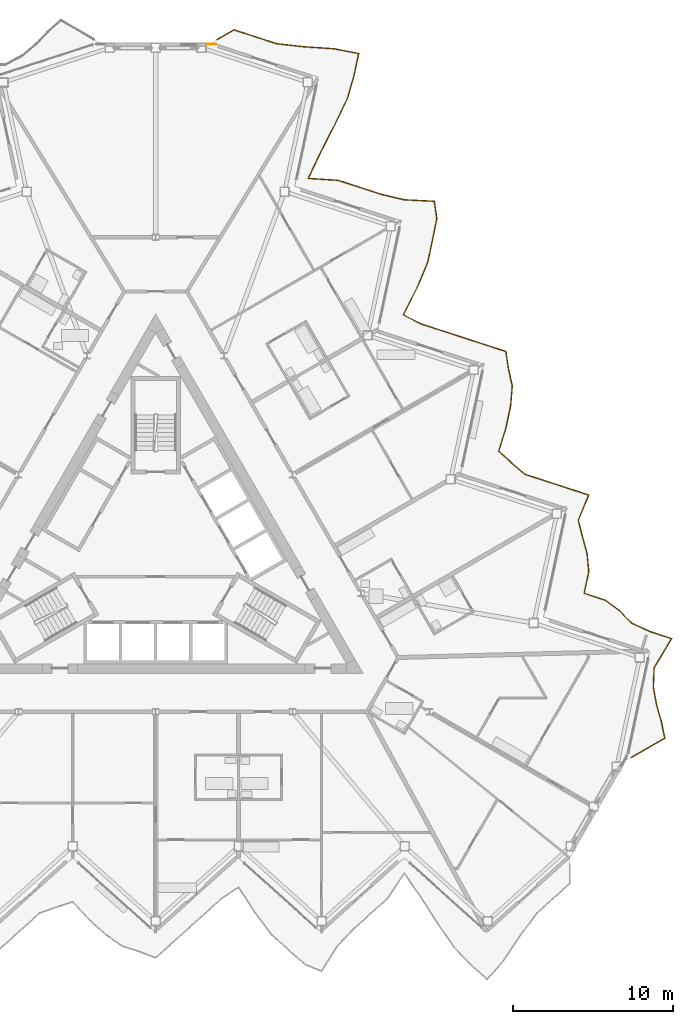
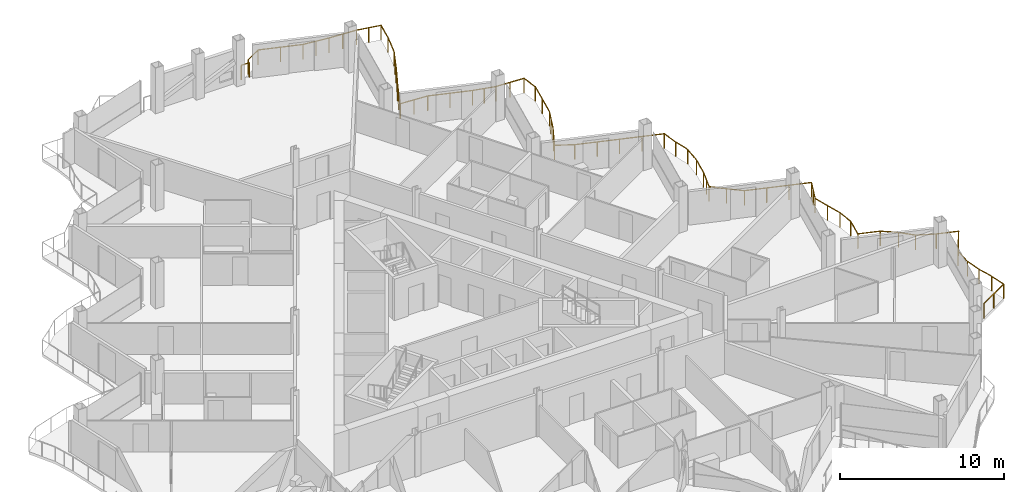
# One storey, part 26 of 28: 2 railings.
"""IFC4 building model written with IfcOpenShell, lengths in metres."""

from ifc_helpers import new_model, si_unit, direction, frame, origin, origin_2d, place, context, subcontext, project, spatial, circle, extrude, material, type_object, element, save


model = new_model("IFC4")

# Units and contexts
model_context = context("Model", 3, precision=1e-05, world=origin(), true_north=direction((0.0, 1.0)))
body_context = subcontext(model_context, "Body", "Model", "MODEL_VIEW")
ifc_project = project(units=[si_unit("LENGTHUNIT", "METRE"), si_unit("AREAUNIT", "SQUARE_METRE"), si_unit("VOLUMEUNIT", "CUBIC_METRE"), si_unit("PLANEANGLEUNIT", "RADIAN"), si_unit("MASSUNIT", "GRAM", prefix="KILO")], contexts=[model_context])

# Site, building, storey
site_placement = place(None, origin())
site = spatial("IfcSite", under=ifc_project, at=site_placement, CompositionType="ELEMENT")
building_placement = place(site_placement, origin())
building = spatial("IfcBuilding", under=site, at=building_placement, Name="Cormorant Prow Tower", CompositionType="ELEMENT")
storey_placement = place(building_placement, frame((0.0, 0.0, 308.60009765625)))
storey = spatial("IfcBuildingStorey", under=building, at=storey_placement, Name="L67", CompositionType="ELEMENT", Elevation=308.60009765625)

# Railings
ifc_material_1 = material(Name="Aluminium 6063-T6", Category="aluminium")
railing_type_1 = type_object("IfcRailingType", Name="Balcony guard 1100", PredefinedType="GUARDRAIL", material=ifc_material_1)
railing_1_placement = place(storey_placement, frame((29.80859375, -12.760009765625, 0.0)))
element("IfcRailing", 1, at=railing_1_placement, inside=storey, type_object=railing_type_1, Name="Balcony guard ENE", PredefinedType="GUARDRAIL", context=body_context, shape_type="SweptSolid", body=[
    extrude(circle(Radius=0.02392578125, at=origin_2d()), frame((0.0, 0.0, 1.076171875), z_axis=(0.866028295127, 0.499994992015, 0.0), x_axis=(-0.499994992015, 0.866028295127, 0.0)), (0.0, 0.0, 1.0), 2.40380859375),
    extrude(circle(Radius=0.02392578125, at=origin_2d()), frame((2.081787109375, 1.201904296875, 1.076171875), z_axis=(-0.202207057939, 0.979342792754, 0.0), x_axis=(-0.979342792754, -0.202207057939, 0.0)), (0.0, 0.0, 1.0), 1.093994140625),
    extrude(circle(Radius=0.02392578125, at=origin_2d()), frame((1.860595703125, 2.273193359375, 1.076171875), z_axis=(-0.276167758469, 0.961109447036, 0.0), x_axis=(-0.961109447036, -0.276167758469, 0.0)), (0.0, 0.0, 1.0), 1.069580078125),
    extrude(circle(Radius=0.02392578125, at=origin_2d()), frame((1.565185546875, 3.30126953125, 1.076171875), z_axis=(-0.17982077973, 0.983699388623, 0.0), x_axis=(-0.983699388623, -0.17982077973, 0.0)), (0.0, 0.0, 1.0), 1.1025390625),
    extrude(circle(Radius=0.02392578125, at=origin_2d()), frame((1.366943359375, 4.3857421875, 1.076171875), z_axis=(0.034901891856, 0.999390743376, 0.0), x_axis=(-0.999390743376, 0.034901891856, 0.0)), (0.0, 0.0, 1.0), 1.22412109375),
    extrude(circle(Radius=0.02392578125, at=origin_2d()), frame((1.40966796875, 5.609130859375, 1.076171875), z_axis=(0.514159813078, 0.857694401647, 0.0), x_axis=(-0.857694401647, 0.514159813078, 0.0)), (0.0, 0.0, 1.0), 2.1376953125),
    extrude(circle(Radius=0.02392578125, at=origin_2d()), frame((2.5087890625, 7.442626953125, 1.076171875), z_axis=(-0.951067455121, 0.308983326103, 0.0), x_axis=(-0.308983326103, -0.951067455121, 0.0)), (0.0, 0.0, 1.0), 1.39697265625),
    extrude(circle(Radius=0.02392578125, at=origin_2d()), frame((1.18017578125, 7.874267578125, 1.076171875), z_axis=(-0.910621709628, 0.413240973227, 0.0), x_axis=(-0.413240973227, -0.910621709628, 0.0)), (0.0, 0.0, 1.0), 1.276611328125),
    extrude(circle(Radius=0.02392578125, at=origin_2d()), frame((0.017578125, 8.40185546875, 1.076171875), z_axis=(-0.70173759295, 0.712435506303, 0.0), x_axis=(-0.712435506303, -0.70173759295, 0.0)), (0.0, 0.0, 1.0), 1.072509765625),
    extrude(circle(Radius=0.02392578125, at=origin_2d()), frame((-0.735107421875, 9.166015625, 1.076171875), z_axis=(-0.799142264692, 0.601141947283, 0.0), x_axis=(-0.601141947283, -0.799142264692, 0.0)), (0.0, 0.0, 1.0), 1.128173828125),
    extrude(circle(Radius=0.02392578125, at=origin_2d()), frame((-1.63671875, 9.84423828125, 1.076171875), z_axis=(-0.951016087818, 0.309141392751, 0.0), x_axis=(-0.309141392751, -0.951016087818, 0.0)), (0.0, 0.0, 1.0), 1.39697265625),
    extrude(circle(Radius=0.02392578125, at=origin_2d()), frame((-2.96533203125, 10.276123046875, 1.076171875), z_axis=(0.207965351097, 0.978136193351, 0.0), x_axis=(-0.978136193351, 0.207965351097, 0.0)), (0.0, 0.0, 1.0), 1.39697265625),
    extrude(circle(Radius=0.02392578125, at=origin_2d()), frame((-2.6748046875, 11.642578125, 1.076171875), z_axis=(-0.10014063101, 0.994973293119, 0.0), x_axis=(-0.994973293119, -0.10014063101, 0.0)), (0.0, 0.0, 1.0), 1.138427734375),
    extrude(circle(Radius=0.02392578125, at=origin_2d()), frame((-2.788818359375, 12.775390625, 1.076171875), z_axis=(-0.263617766506, 0.964627219802, 0.0), x_axis=(-0.964627219802, -0.263617766506, 0.0)), (0.0, 0.0, 1.0), 1.073486328125),
    extrude(circle(Radius=0.02392578125, at=origin_2d()), frame((-3.07177734375, 13.810791015625, 1.076171875), z_axis=(-0.243546445882, 0.969889235273, 0.0), x_axis=(-0.969889235273, -0.243546445882, 0.0)), (0.0, 0.0, 1.0), 1.07958984375),
    extrude(circle(Radius=0.02392578125, at=origin_2d()), frame((-3.334716796875, 14.85791015625, 1.076171875), z_axis=(0.382642581018, 0.923896452635, 0.0), x_axis=(-0.923896452635, 0.382642581018, 0.0)), (0.0, 0.0, 1.0), 1.70556640625),
    extrude(circle(Radius=0.02392578125, at=origin_2d()), frame((-2.68212890625, 16.43359375, 1.076171875), z_axis=(-0.951067455121, 0.308983326103, 0.0), x_axis=(-0.308983326103, -0.951067455121, 0.0)), (0.0, 0.0, 1.0), 1.39697265625),
    extrude(circle(Radius=0.02392578125, at=origin_2d()), frame((-4.0107421875, 16.865234375, 1.076171875), z_axis=(-0.951084135834, 0.308931977247, 0.0), x_axis=(-0.308931977247, -0.951084135834, 0.0)), (0.0, 0.0, 1.0), 1.397216796875),
    extrude(circle(Radius=0.02392578125, at=origin_2d()), frame((-5.339599609375, 17.296875, 1.076171875), z_axis=(-0.951067455121, 0.308983326103, 0.0), x_axis=(-0.308983326103, -0.951067455121, 0.0)), (0.0, 0.0, 1.0), 1.39697265625),
    extrude(circle(Radius=0.02392578125, at=origin_2d()), frame((-6.668212890625, 17.728515625, 1.076171875), z_axis=(-0.761737069825, 0.647886283582, 0.0), x_axis=(-0.647886283582, -0.761737069825, 0.0)), (0.0, 0.0, 1.0), 1.102294921875),
    extrude(circle(Radius=0.02392578125, at=origin_2d()), frame((-7.5078125, 18.442626953125, 1.076171875), z_axis=(-0.742626435866, 0.669705888248, 0.0), x_axis=(-0.669705888248, -0.742626435866, 0.0)), (0.0, 0.0, 1.0), 1.091552734375),
    extrude(circle(Radius=0.02392578125, at=origin_2d()), frame((-8.318359375, 19.173583984375, 1.076171875), z_axis=(0.296127914995, 0.955148291084, 0.0), x_axis=(-0.955148291084, 0.296127914995, 0.0)), (0.0, 0.0, 1.0), 1.528564453125),
    extrude(circle(Radius=0.02392578125, at=origin_2d()), frame((-7.86572265625, 20.633544921875, 1.076171875), z_axis=(0.207798139517, 0.978171729919, 0.0), x_axis=(-0.978171729919, 0.207798139517, 0.0)), (0.0, 0.0, 1.0), 1.39697265625),
    extrude(circle(Radius=0.02392578125, at=origin_2d()), frame((-7.575439453125, 22.0, 1.076171875), z_axis=(0.083988187629, 0.996466750242, 0.0), x_axis=(-0.996466750242, 0.083988187629, 0.0)), (0.0, 0.0, 1.0), 1.264404296875),
    extrude(circle(Radius=0.02392578125, at=origin_2d()), frame((-7.46923828125, 23.260009765625, 1.076171875), z_axis=(-0.216170602832, 0.976355606565, 0.0), x_axis=(-0.976355606565, -0.216170602832, 0.0)), (0.0, 0.0, 1.0), 1.088623046875),
    extrude(circle(Radius=0.02392578125, at=origin_2d()), frame((-7.70458984375, 24.322998046875, 1.076171875), z_axis=(-0.151168121977, 0.988508067189, 0.0), x_axis=(-0.988508067189, -0.151168121977, 0.0)), (0.0, 0.0, 1.0), 1.1142578125),
    extrude(circle(Radius=0.02392578125, at=origin_2d()), frame((-7.873046875, 25.424560546875, 1.076171875), z_axis=(-0.951084135834, 0.308931977247, 0.0), x_axis=(-0.308931977247, -0.951084135834, 0.0)), (0.0, 0.0, 1.0), 1.397216796875),
    extrude(circle(Radius=0.02392578125, at=origin_2d()), frame((-9.201904296875, 25.856201171875, 1.076171875), z_axis=(-0.951050766088, 0.309034691131, 0.0), x_axis=(-0.309034691131, -0.951050766088, 0.0)), (0.0, 0.0, 1.0), 1.396728515625),
    extrude(circle(Radius=0.02392578125, at=origin_2d()), frame((-10.5302734375, 26.287841796875, 1.076171875), z_axis=(-0.9510327847, 0.309090023174, 0.0), x_axis=(-0.309090023174, -0.9510327847, 0.0)), (0.0, 0.0, 1.0), 1.397216796875),
    extrude(circle(Radius=0.02392578125, at=origin_2d()), frame((-11.859130859375, 26.7197265625, 1.076171875), z_axis=(-0.951067455121, 0.308983326103, 0.0), x_axis=(-0.308983326103, -0.951067455121, 0.0)), (0.0, 0.0, 1.0), 1.39697265625),
    extrude(circle(Radius=0.02392578125, at=origin_2d()), frame((-13.187744140625, 27.1513671875, 1.076171875), z_axis=(-0.892410103967, 0.451225227949, 0.0), x_axis=(-0.451225227949, -0.892410103967, 0.0)), (0.0, 0.0, 1.0), 1.240234375),
    extrude(circle(Radius=0.02392578125, at=origin_2d()), frame((-14.29443359375, 27.7109375, 1.076171875), z_axis=(0.452393899594, 0.891818232382, 0.0), x_axis=(-0.891818232382, 0.452393899594, 0.0)), (0.0, 0.0, 1.0), 1.901123046875),
    extrude(circle(Radius=0.02392578125, at=origin_2d()), frame((-13.434326171875, 29.406494140625, 1.076171875), z_axis=(0.388463198386, 0.921464238861, 0.0), x_axis=(-0.921464238861, 0.388463198386, 0.0)), (0.0, 0.0, 1.0), 1.719482421875),
    extrude(circle(Radius=0.02392578125, at=origin_2d()), frame((-12.766357421875, 30.990966796875, 1.076171875), z_axis=(0.207965351097, 0.978136193351, 0.0), x_axis=(-0.978136193351, 0.207965351097, 0.0)), (0.0, 0.0, 1.0), 1.39697265625),
    extrude(circle(Radius=0.02392578125, at=origin_2d()), frame((-12.475830078125, 32.357421875, 1.076171875), z_axis=(0.202495261585, 0.979283242497, 0.0), x_axis=(-0.979283242497, 0.202495261585, 0.0)), (0.0, 0.0, 1.0), 1.39013671875),
    extrude(circle(Radius=0.02392578125, at=origin_2d()), frame((-12.1943359375, 33.71875, 1.076171875), z_axis=(-0.13839987533, 0.990376430711, 0.0), x_axis=(-0.990376430711, -0.13839987533, 0.0)), (0.0, 0.0, 1.0), 1.1201171875),
    extrude(circle(Radius=0.02392578125, at=origin_2d()), frame((-12.349365234375, 34.828125, 1.076171875), z_axis=(-0.998705371027, 0.050868279712, 0.0), x_axis=(-0.050868279712, -0.998705371027, 0.0)), (0.0, 0.0, 1.0), 1.91015625),
    extrude(circle(Radius=0.02392578125, at=origin_2d()), frame((-14.257080078125, 34.92529296875, 1.076171875), z_axis=(-0.972074559977, 0.23467221788, 0.0), x_axis=(-0.23467221788, -0.972074559977, 0.0)), (0.0, 0.0, 1.0), 1.50634765625),
    extrude(circle(Radius=0.02392578125, at=origin_2d()), frame((-15.721435546875, 35.27880859375, 1.076171875), z_axis=(-0.951067455121, 0.308983326103, 0.0), x_axis=(-0.308983326103, -0.951067455121, 0.0)), (0.0, 0.0, 1.0), 1.39697265625),
    extrude(circle(Radius=0.02392578125, at=origin_2d()), frame((-17.050048828125, 35.71044921875, 1.076171875), z_axis=(-0.951067455121, 0.308983326103, 0.0), x_axis=(-0.308983326103, -0.951067455121, 0.0)), (0.0, 0.0, 1.0), 1.39697265625),
    extrude(circle(Radius=0.02392578125, at=origin_2d()), frame((-18.378662109375, 36.14208984375, 1.076171875), z_axis=(-0.997958137122, 0.063871406373, 0.0), x_axis=(-0.063871406373, -0.997958137122, 0.0)), (0.0, 0.0, 1.0), 1.873046875),
    extrude(circle(Radius=0.02392578125, at=origin_2d()), frame((-20.247802734375, 36.26171875, 1.076171875), z_axis=(0.430073253651, 0.902793994494, 0.0), x_axis=(-0.902793994494, 0.430073253651, 0.0)), (0.0, 0.0, 1.0), 1.831787109375),
    extrude(circle(Radius=0.02392578125, at=origin_2d()), frame((-19.4599609375, 37.91552734375, 1.076171875), z_axis=(0.457371028949, 0.889275964973, 0.0), x_axis=(-0.889275964973, 0.457371028949, 0.0)), (0.0, 0.0, 1.0), 1.91748046875),
    extrude(circle(Radius=0.02392578125, at=origin_2d()), frame((-18.5830078125, 39.62060546875, 1.076171875), z_axis=(0.432000849801, 0.901873198277, 0.0), x_axis=(-0.901873198277, 0.432000849801, 0.0)), (0.0, 0.0, 1.0), 1.837158203125),
    extrude(circle(Radius=0.02392578125, at=origin_2d()), frame((-17.789306640625, 41.277587890625, 1.076171875), z_axis=(0.276230142763, 0.961091519175, 0.0), x_axis=(-0.961091519175, 0.276230142763, 0.0)), (0.0, 0.0, 1.0), 1.495361328125),
    extrude(circle(Radius=0.02392578125, at=origin_2d()), frame((-17.376220703125, 42.71484375, 1.076171875), z_axis=(0.207798139517, 0.978171729919, 0.0), x_axis=(-0.978171729919, 0.207798139517, 0.0)), (0.0, 0.0, 1.0), 1.39697265625),
    extrude(circle(Radius=0.02392578125, at=origin_2d()), frame((-17.0859375, 44.081298828125, 1.076171875), z_axis=(-0.981811369359, 0.189858987137, 0.0), x_axis=(-0.189858987137, -0.981811369359, 0.0)), (0.0, 0.0, 1.0), 1.584228515625),
    extrude(circle(Radius=0.02392578125, at=origin_2d()), frame((-18.641357421875, 44.382080078125, 1.076171875), z_axis=(-0.997911492588, 0.064596075432, 0.0), x_axis=(-0.064596075432, -0.997911492588, 0.0)), (0.0, 0.0, 1.0), 1.870849609375),
    extrude(circle(Radius=0.02392578125, at=origin_2d()), frame((-20.50830078125, 44.5029296875, 1.076171875), z_axis=(-0.993502406121, 0.113811111199, 0.0), x_axis=(-0.113811111199, -0.993502406121, 0.0)), (0.0, 0.0, 1.0), 1.743896484375),
    extrude(circle(Radius=0.02392578125, at=origin_2d()), frame((-22.240966796875, 44.701416015625, 1.076171875), z_axis=(-0.951016087818, 0.309141392751, 0.0), x_axis=(-0.309141392751, -0.951016087818, 0.0)), (0.0, 0.0, 1.0), 1.39697265625),
    extrude(circle(Radius=0.02392578125, at=origin_2d()), frame((-23.569580078125, 45.13330078125, 1.076171875), z_axis=(-0.951067455121, 0.308983326103, 0.0), x_axis=(-0.308983326103, -0.951067455121, 0.0)), (0.0, 0.0, 1.0), 1.39697265625),
    extrude(circle(Radius=0.02392578125, at=origin_2d()), frame((-24.898193359375, 45.56494140625, 1.076171875), z_axis=(-0.866005645448, -0.500034220881, 0.0), x_axis=(0.500034220881, -0.866005645448, 0.0)), (0.0, 0.0, 1.0), 1.22021484375),
    extrude(circle(Radius=0.02099609375, at=origin_2d()), origin(), (0.0, 0.0, 1.0), 1.052001953125),
    extrude(circle(Radius=0.02099609375, at=origin_2d()), frame((1.041015625, 0.60107421875, 0.0)), (0.0, 0.0, 1.0), 1.052001953125),
    extrude(circle(Radius=0.02099609375, at=origin_2d()), frame((2.081787109375, 1.201904296875, 0.0)), (0.0, 0.0, 1.0), 1.052001953125),
    extrude(circle(Radius=0.02099609375, at=origin_2d()), frame((1.860595703125, 2.273193359375, 0.0)), (0.0, 0.0, 1.0), 1.052001953125),
    extrude(circle(Radius=0.02099609375, at=origin_2d()), frame((1.565185546875, 3.30126953125, 0.0)), (0.0, 0.0, 1.0), 1.052001953125),
    extrude(circle(Radius=0.02099609375, at=origin_2d()), frame((1.366943359375, 4.3857421875, 0.0)), (0.0, 0.0, 1.0), 1.052001953125),
    extrude(circle(Radius=0.02099609375, at=origin_2d()), frame((1.40966796875, 5.609130859375, 0.0)), (0.0, 0.0, 1.0), 1.052001953125),
    extrude(circle(Radius=0.02099609375, at=origin_2d()), frame((1.959228515625, 6.52587890625, 0.0)), (0.0, 0.0, 1.0), 1.052001953125),
    extrude(circle(Radius=0.02099609375, at=origin_2d()), frame((2.5087890625, 7.442626953125, 0.0)), (0.0, 0.0, 1.0), 1.052001953125),
    extrude(circle(Radius=0.02099609375, at=origin_2d()), frame((1.18017578125, 7.874267578125, 0.0)), (0.0, 0.0, 1.0), 1.052001953125),
    extrude(circle(Radius=0.02099609375, at=origin_2d()), frame((0.017578125, 8.40185546875, 0.0)), (0.0, 0.0, 1.0), 1.052001953125),
    extrude(circle(Radius=0.02099609375, at=origin_2d()), frame((-0.735107421875, 9.166015625, 0.0)), (0.0, 0.0, 1.0), 1.052001953125),
    extrude(circle(Radius=0.02099609375, at=origin_2d()), frame((-1.63671875, 9.84423828125, 0.0)), (0.0, 0.0, 1.0), 1.052001953125),
    extrude(circle(Radius=0.02099609375, at=origin_2d()), frame((-2.96533203125, 10.276123046875, 0.0)), (0.0, 0.0, 1.0), 1.052001953125),
    extrude(circle(Radius=0.02099609375, at=origin_2d()), frame((-2.6748046875, 11.642578125, 0.0)), (0.0, 0.0, 1.0), 1.052001953125),
    extrude(circle(Radius=0.02099609375, at=origin_2d()), frame((-2.788818359375, 12.775390625, 0.0)), (0.0, 0.0, 1.0), 1.052001953125),
    extrude(circle(Radius=0.02099609375, at=origin_2d()), frame((-3.07177734375, 13.810791015625, 0.0)), (0.0, 0.0, 1.0), 1.052001953125),
    extrude(circle(Radius=0.02099609375, at=origin_2d()), frame((-3.334716796875, 14.85791015625, 0.0)), (0.0, 0.0, 1.0), 1.052001953125),
    extrude(circle(Radius=0.02099609375, at=origin_2d()), frame((-3.00830078125, 15.645751953125, 0.0)), (0.0, 0.0, 1.0), 1.052001953125),
    extrude(circle(Radius=0.02099609375, at=origin_2d()), frame((-2.68212890625, 16.43359375, 0.0)), (0.0, 0.0, 1.0), 1.052001953125),
    extrude(circle(Radius=0.02099609375, at=origin_2d()), frame((-4.0107421875, 16.865234375, 0.0)), (0.0, 0.0, 1.0), 1.052001953125),
    extrude(circle(Radius=0.02099609375, at=origin_2d()), frame((-5.339599609375, 17.296875, 0.0)), (0.0, 0.0, 1.0), 1.052001953125),
    extrude(circle(Radius=0.02099609375, at=origin_2d()), frame((-6.668212890625, 17.728515625, 0.0)), (0.0, 0.0, 1.0), 1.052001953125),
    extrude(circle(Radius=0.02099609375, at=origin_2d()), frame((-7.5078125, 18.442626953125, 0.0)), (0.0, 0.0, 1.0), 1.052001953125),
    extrude(circle(Radius=0.02099609375, at=origin_2d()), frame((-8.318359375, 19.173583984375, 0.0)), (0.0, 0.0, 1.0), 1.052001953125),
    extrude(circle(Radius=0.02099609375, at=origin_2d()), frame((-8.092041015625, 19.903564453125, 0.0)), (0.0, 0.0, 1.0), 1.052001953125),
    extrude(circle(Radius=0.02099609375, at=origin_2d()), frame((-7.86572265625, 20.633544921875, 0.0)), (0.0, 0.0, 1.0), 1.052001953125),
    extrude(circle(Radius=0.02099609375, at=origin_2d()), frame((-7.575439453125, 22.0, 0.0)), (0.0, 0.0, 1.0), 1.052001953125),
    extrude(circle(Radius=0.02099609375, at=origin_2d()), frame((-7.46923828125, 23.260009765625, 0.0)), (0.0, 0.0, 1.0), 1.052001953125),
    extrude(circle(Radius=0.02099609375, at=origin_2d()), frame((-7.70458984375, 24.322998046875, 0.0)), (0.0, 0.0, 1.0), 1.052001953125),
    extrude(circle(Radius=0.02099609375, at=origin_2d()), frame((-7.873046875, 25.424560546875, 0.0)), (0.0, 0.0, 1.0), 1.052001953125),
    extrude(circle(Radius=0.02099609375, at=origin_2d()), frame((-9.201904296875, 25.856201171875, 0.0)), (0.0, 0.0, 1.0), 1.052001953125),
    extrude(circle(Radius=0.02099609375, at=origin_2d()), frame((-10.5302734375, 26.287841796875, 0.0)), (0.0, 0.0, 1.0), 1.052001953125),
    extrude(circle(Radius=0.02099609375, at=origin_2d()), frame((-11.859130859375, 26.7197265625, 0.0)), (0.0, 0.0, 1.0), 1.052001953125),
    extrude(circle(Radius=0.02099609375, at=origin_2d()), frame((-13.187744140625, 27.1513671875, 0.0)), (0.0, 0.0, 1.0), 1.052001953125),
    extrude(circle(Radius=0.02099609375, at=origin_2d()), frame((-14.29443359375, 27.7109375, 0.0)), (0.0, 0.0, 1.0), 1.052001953125),
    extrude(circle(Radius=0.02099609375, at=origin_2d()), frame((-13.8642578125, 28.55859375, 0.0)), (0.0, 0.0, 1.0), 1.052001953125),
    extrude(circle(Radius=0.02099609375, at=origin_2d()), frame((-13.434326171875, 29.406494140625, 0.0)), (0.0, 0.0, 1.0), 1.052001953125),
    extrude(circle(Radius=0.02099609375, at=origin_2d()), frame((-13.100341796875, 30.19873046875, 0.0)), (0.0, 0.0, 1.0), 1.052001953125),
    extrude(circle(Radius=0.02099609375, at=origin_2d()), frame((-12.766357421875, 30.990966796875, 0.0)), (0.0, 0.0, 1.0), 1.052001953125),
    extrude(circle(Radius=0.02099609375, at=origin_2d()), frame((-12.475830078125, 32.357421875, 0.0)), (0.0, 0.0, 1.0), 1.052001953125),
    extrude(circle(Radius=0.02099609375, at=origin_2d()), frame((-12.1943359375, 33.71875, 0.0)), (0.0, 0.0, 1.0), 1.052001953125),
    extrude(circle(Radius=0.02099609375, at=origin_2d()), frame((-12.349365234375, 34.828125, 0.0)), (0.0, 0.0, 1.0), 1.052001953125),
    extrude(circle(Radius=0.02099609375, at=origin_2d()), frame((-13.30322265625, 34.876708984375, 0.0)), (0.0, 0.0, 1.0), 1.052001953125),
    extrude(circle(Radius=0.02099609375, at=origin_2d()), frame((-14.257080078125, 34.92529296875, 0.0)), (0.0, 0.0, 1.0), 1.052001953125),
    extrude(circle(Radius=0.02099609375, at=origin_2d()), frame((-14.9892578125, 35.10205078125, 0.0)), (0.0, 0.0, 1.0), 1.052001953125),
    extrude(circle(Radius=0.02099609375, at=origin_2d()), frame((-15.721435546875, 35.27880859375, 0.0)), (0.0, 0.0, 1.0), 1.052001953125),
    extrude(circle(Radius=0.02099609375, at=origin_2d()), frame((-17.050048828125, 35.71044921875, 0.0)), (0.0, 0.0, 1.0), 1.052001953125),
    extrude(circle(Radius=0.02099609375, at=origin_2d()), frame((-18.378662109375, 36.14208984375, 0.0)), (0.0, 0.0, 1.0), 1.052001953125),
    extrude(circle(Radius=0.02099609375, at=origin_2d()), frame((-19.313232421875, 36.201904296875, 0.0)), (0.0, 0.0, 1.0), 1.052001953125),
    extrude(circle(Radius=0.02099609375, at=origin_2d()), frame((-20.247802734375, 36.26171875, 0.0)), (0.0, 0.0, 1.0), 1.052001953125),
    extrude(circle(Radius=0.02099609375, at=origin_2d()), frame((-19.85400390625, 37.088623046875, 0.0)), (0.0, 0.0, 1.0), 1.052001953125),
    extrude(circle(Radius=0.02099609375, at=origin_2d()), frame((-19.4599609375, 37.91552734375, 0.0)), (0.0, 0.0, 1.0), 1.052001953125),
    extrude(circle(Radius=0.02099609375, at=origin_2d()), frame((-19.021484375, 38.76806640625, 0.0)), (0.0, 0.0, 1.0), 1.052001953125),
    extrude(circle(Radius=0.02099609375, at=origin_2d()), frame((-18.5830078125, 39.62060546875, 0.0)), (0.0, 0.0, 1.0), 1.052001953125),
    extrude(circle(Radius=0.02099609375, at=origin_2d()), frame((-18.18603515625, 40.44921875, 0.0)), (0.0, 0.0, 1.0), 1.052001953125),
    extrude(circle(Radius=0.02099609375, at=origin_2d()), frame((-17.789306640625, 41.277587890625, 0.0)), (0.0, 0.0, 1.0), 1.052001953125),
    extrude(circle(Radius=0.02099609375, at=origin_2d()), frame((-17.376220703125, 42.71484375, 0.0)), (0.0, 0.0, 1.0), 1.052001953125),
    extrude(circle(Radius=0.02099609375, at=origin_2d()), frame((-17.0859375, 44.081298828125, 0.0)), (0.0, 0.0, 1.0), 1.052001953125),
    extrude(circle(Radius=0.02099609375, at=origin_2d()), frame((-17.86376953125, 44.231689453125, 0.0)), (0.0, 0.0, 1.0), 1.052001953125),
    extrude(circle(Radius=0.02099609375, at=origin_2d()), frame((-18.641357421875, 44.382080078125, 0.0)), (0.0, 0.0, 1.0), 1.052001953125),
    extrude(circle(Radius=0.02099609375, at=origin_2d()), frame((-19.57470703125, 44.4423828125, 0.0)), (0.0, 0.0, 1.0), 1.052001953125),
    extrude(circle(Radius=0.02099609375, at=origin_2d()), frame((-20.50830078125, 44.5029296875, 0.0)), (0.0, 0.0, 1.0), 1.052001953125),
    extrude(circle(Radius=0.02099609375, at=origin_2d()), frame((-21.37451171875, 44.60205078125, 0.0)), (0.0, 0.0, 1.0), 1.052001953125),
    extrude(circle(Radius=0.02099609375, at=origin_2d()), frame((-22.240966796875, 44.701416015625, 0.0)), (0.0, 0.0, 1.0), 1.052001953125),
    extrude(circle(Radius=0.02099609375, at=origin_2d()), frame((-23.569580078125, 45.13330078125, 0.0)), (0.0, 0.0, 1.0), 1.052001953125),
    extrude(circle(Radius=0.02099609375, at=origin_2d()), frame((-24.898193359375, 45.56494140625, 0.0)), (0.0, 0.0, 1.0), 1.052001953125),
    extrude(circle(Radius=0.02099609375, at=origin_2d()), frame((-25.954833984375, 44.954833984375, 0.0)), (0.0, 0.0, 1.0), 1.052001953125),
])
ifc_material_2 = material(Name="Stainless steel", Category="steel")
railing_type_2 = type_object("IfcRailingType", Name="Facade corner guard 1100", PredefinedType="GUARDRAIL", material=ifc_material_2)
railing_2_placement = place(storey_placement, frame((3.19384765625, 31.89990234375, 0.0)))
element("IfcRailing", 2, at=railing_2_placement, inside=storey, type_object=railing_type_2, Name="Facade corner guard L67 2", PredefinedType="GUARDRAIL", context=body_context, shape_type="SweptSolid", body=[
    extrude(circle(Radius=0.02392578125, at=origin_2d()), frame((0.0, 0.0, 1.076171875), z_axis=(1.0, 0.0, 0.0), x_axis=(0.0, 1.0, 0.0)), (0.0, 0.0, 1.0), 0.571044921875),
    extrude(circle(Radius=0.02099609375, at=origin_2d()), origin(), (0.0, 0.0, 1.0), 1.052001953125),
    extrude(circle(Radius=0.02099609375, at=origin_2d()), frame((0.571044921875, 0.0, 0.0)), (0.0, 0.0, 1.0), 1.052001953125),
])

save(model, "model.ifc")
